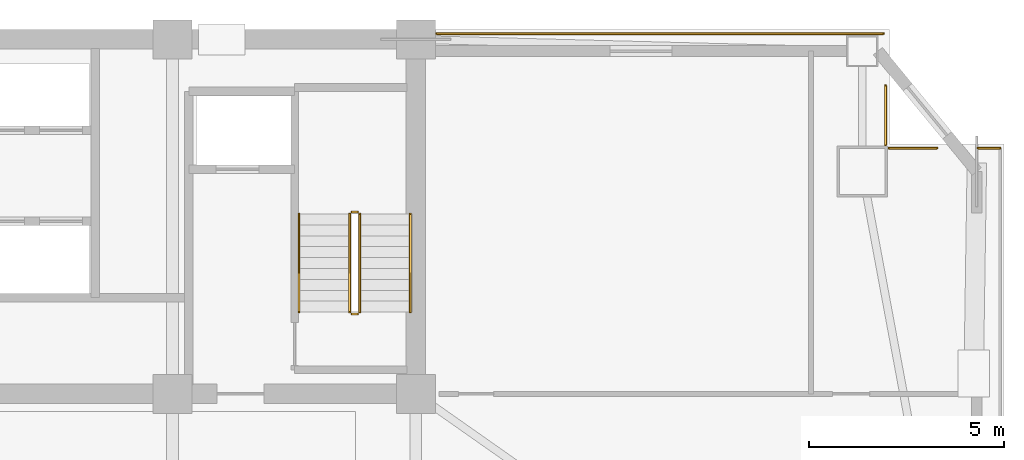
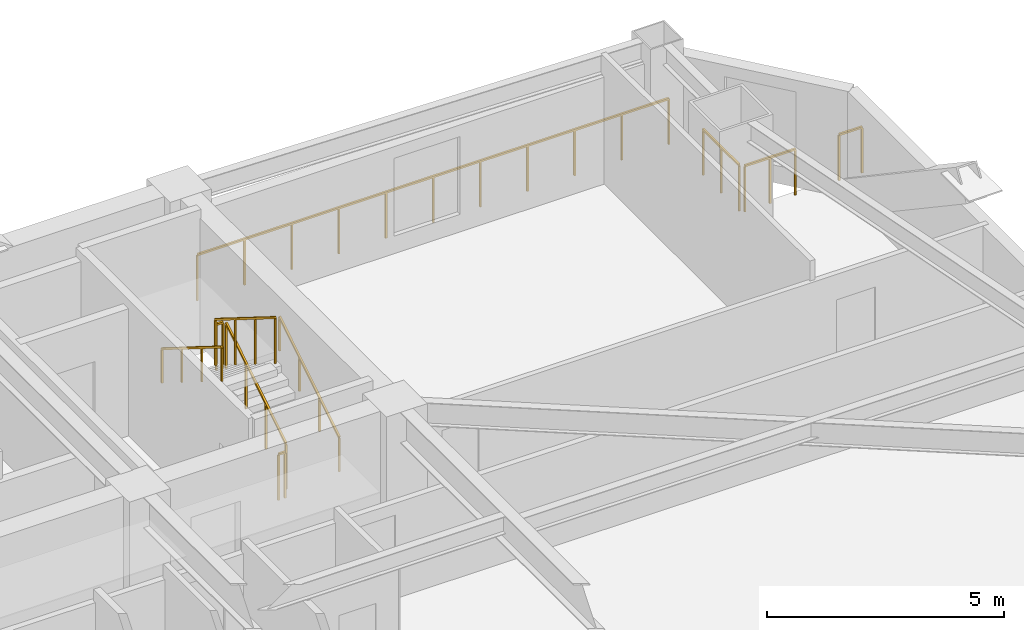
# One storey, part 15 of 15: 10 railings.
"""IFC4 building model written with IfcOpenShell, lengths in metres."""

from ifc_helpers import new_model, si_unit, direction, frame, origin, origin_2d, place, context, subcontext, project, spatial, rectangle, extrude, material, type_object, element, save


model = new_model("IFC4")

# Units and contexts
model_context = context("Model", 3, precision=1e-05, world=origin(), true_north=direction((0.0, 1.0)))
body_context = subcontext(model_context, "Body", "Model", "MODEL_VIEW")
ifc_project = project(units=[si_unit("LENGTHUNIT", "METRE"), si_unit("AREAUNIT", "SQUARE_METRE"), si_unit("VOLUMEUNIT", "CUBIC_METRE"), si_unit("PLANEANGLEUNIT", "RADIAN"), si_unit("MASSUNIT", "GRAM", prefix="KILO")], contexts=[model_context])

# Site, building, storey
site_placement = place(None, origin())
site = spatial("IfcSite", under=ifc_project, at=site_placement, CompositionType="ELEMENT")
building_placement = place(site_placement, origin())
building = spatial("IfcBuilding", under=site, at=building_placement, Name="Giltprow Tower", CompositionType="ELEMENT")
storey_placement = place(building_placement, frame((0.0, 0.0, 149.199951171875)))
storey = spatial("IfcBuildingStorey", under=building, at=storey_placement, Name="L36", CompositionType="ELEMENT", Elevation=149.199951171875)

# Railings
ifc_material = material(Name="Anodized bronze", Category="metal")
railing_type_1 = type_object("IfcRailingType", Name="RAIL-BALC-GUARD-1200", PredefinedType="BALUSTRADE", material=ifc_material)
railing_1_placement = place(storey_placement, frame((51.0849609375, 46.699951171875, 0.0)))
element("IfcRailing", 1, at=railing_1_placement, inside=storey, type_object=railing_type_1, Name="L36 Corner Apron Edge Balustrade 10", PredefinedType="BALUSTRADE", context=body_context, shape_type="SweptSolid", body=[
    extrude(rectangle(XDim=0.048095703125, YDim=0.048095703125, at=origin_2d()), frame((0.0, 0.0, 1.17578125), z_axis=(1.0, 0.0, 0.0), x_axis=(0.0, 1.0, 0.0)), (0.0, 0.0, 1.0), 11.465087890625),
    extrude(rectangle(XDim=0.0419921875, YDim=0.0419921875, at=origin_2d()), origin(), (0.0, 0.0, 1.0), 1.15185546875),
    extrude(rectangle(XDim=0.0419921875, YDim=0.0419921875, at=origin_2d()), frame((1.146484375, 0.0, 0.0)), (0.0, 0.0, 1.0), 1.15185546875),
    extrude(rectangle(XDim=0.0419921875, YDim=0.0419921875, at=origin_2d()), frame((2.29296875, 0.0, 0.0)), (0.0, 0.0, 1.0), 1.15185546875),
    extrude(rectangle(XDim=0.0419921875, YDim=0.0419921875, at=origin_2d()), frame((3.439453125, 0.0, 0.0)), (0.0, 0.0, 1.0), 1.15185546875),
    extrude(rectangle(XDim=0.0419921875, YDim=0.0419921875, at=origin_2d()), frame((4.5859375, 0.0, 0.0)), (0.0, 0.0, 1.0), 1.15185546875),
    extrude(rectangle(XDim=0.0419921875, YDim=0.0419921875, at=origin_2d()), frame((5.732421875, 0.0, 0.0)), (0.0, 0.0, 1.0), 1.15185546875),
    extrude(rectangle(XDim=0.0419921875, YDim=0.0419921875, at=origin_2d()), frame((6.879150390625, 0.0, 0.0)), (0.0, 0.0, 1.0), 1.15185546875),
    extrude(rectangle(XDim=0.0419921875, YDim=0.0419921875, at=origin_2d()), frame((8.025634765625, 0.0, 0.0)), (0.0, 0.0, 1.0), 1.15185546875),
    extrude(rectangle(XDim=0.0419921875, YDim=0.0419921875, at=origin_2d()), frame((9.172119140625, 0.0, 0.0)), (0.0, 0.0, 1.0), 1.15185546875),
    extrude(rectangle(XDim=0.0419921875, YDim=0.0419921875, at=origin_2d()), frame((10.318603515625, 0.0, 0.0)), (0.0, 0.0, 1.0), 1.15185546875),
    extrude(rectangle(XDim=0.0419921875, YDim=0.0419921875, at=origin_2d()), frame((11.465087890625, 0.0, 0.0)), (0.0, 0.0, 1.0), 1.15185546875),
])
railing_2_placement = place(storey_placement, frame((62.612060546875, 45.361083984375, 0.0)))
element("IfcRailing", 2, at=railing_2_placement, inside=storey, type_object=railing_type_1, Name="L36 Corner Apron Edge Balustrade 11", PredefinedType="BALUSTRADE", context=body_context, shape_type="SweptSolid", body=[
    extrude(rectangle(XDim=0.048095703125, YDim=0.048095703125, at=origin_2d()), frame((0.0, 0.0, 1.17578125), z_axis=(0.0, -1.0, 0.0), x_axis=(1.0, 0.0, 0.0)), (0.0, 0.0, 1.0), 1.51513671875),
    extrude(rectangle(XDim=0.0419921875, YDim=0.0419921875, at=origin_2d()), origin(), (0.0, 0.0, 1.0), 1.15185546875),
    extrude(rectangle(XDim=0.0419921875, YDim=0.0419921875, at=origin_2d()), frame((0.0, -0.757568359375, 0.0)), (0.0, 0.0, 1.0), 1.15185546875),
    extrude(rectangle(XDim=0.0419921875, YDim=0.0419921875, at=origin_2d()), frame((0.0, -1.51513671875, 0.0)), (0.0, 0.0, 1.0), 1.15185546875),
])
railing_3_placement = place(storey_placement, frame((62.697021484375, 43.760986328125, 0.0)))
element("IfcRailing", 3, at=railing_3_placement, inside=storey, type_object=railing_type_1, Name="L36 Corner Apron Edge Balustrade 12", PredefinedType="BALUSTRADE", context=body_context, shape_type="SweptSolid", body=[
    extrude(rectangle(XDim=0.048095703125, YDim=0.048095703125, at=origin_2d()), frame((0.0, 0.0, 1.17578125), z_axis=(1.0, 0.0, 0.0), x_axis=(0.0, 1.0, 0.0)), (0.0, 0.0, 1.0), 1.22998046875),
    extrude(rectangle(XDim=0.0419921875, YDim=0.0419921875, at=origin_2d()), origin(), (0.0, 0.0, 1.0), 1.15185546875),
    extrude(rectangle(XDim=0.0419921875, YDim=0.0419921875, at=origin_2d()), frame((0.614990234375, 0.0, 0.0)), (0.0, 0.0, 1.0), 1.15185546875),
    extrude(rectangle(XDim=0.0419921875, YDim=0.0419921875, at=origin_2d()), frame((1.22998046875, 0.0, 0.0)), (0.0, 0.0, 1.0), 1.15185546875),
])
railing_4_placement = place(storey_placement, frame((64.989013671875, 43.760986328125, 0.0)))
element("IfcRailing", 4, at=railing_4_placement, inside=storey, type_object=railing_type_1, Name="L36 Corner Apron Edge Balustrade 13", PredefinedType="BALUSTRADE", context=body_context, shape_type="SweptSolid", body=[
    extrude(rectangle(XDim=0.048095703125, YDim=0.048095703125, at=origin_2d()), frame((0.0, 0.0, 1.17578125), z_axis=(1.0, 0.0, 0.0), x_axis=(0.0, 1.0, 0.0)), (0.0, 0.0, 1.0), 0.56201171875),
    extrude(rectangle(XDim=0.0419921875, YDim=0.0419921875, at=origin_2d()), origin(), (0.0, 0.0, 1.0), 1.15185546875),
    extrude(rectangle(XDim=0.0419921875, YDim=0.0419921875, at=origin_2d()), frame((0.56201171875, 0.0, 0.0)), (0.0, 0.0, 1.0), 1.15185546875),
])
railing_type_2 = type_object("IfcRailingType", Name="RAIL-STAIR-GUARD-1200", PredefinedType="GUARDRAIL", material=ifc_material)
railing_5_placement = place(storey_placement, frame((49.110107421875, 39.550048828125, 0.175048828125)))
element("IfcRailing", 5, at=railing_5_placement, inside=storey, type_object=railing_type_2, Name="L36 ST-3 stair guard 1", PredefinedType="GUARDRAIL", context=body_context, shape_type="SweptSolid", body=[
    extrude(rectangle(XDim=0.048095703125, YDim=0.048095703125, at=origin_2d()), frame((0.0, 0.0, 1.17578125), z_axis=(0.0, 0.848007534815, 0.529984170421), x_axis=(-1.0, 0.0, 0.0)), (0.0, 0.0, 1.0), 2.9716796875),
    extrude(rectangle(XDim=0.0419921875, YDim=0.0419921875, at=origin_2d()), origin(), (0.0, 0.0, 1.0), 1.15185546875),
    extrude(rectangle(XDim=0.0419921875, YDim=0.0419921875, at=origin_2d()), frame((0.0, 0.840087890625, 0.52490234375)), (0.0, 0.0, 1.0), 1.15185546875),
    extrude(rectangle(XDim=0.0419921875, YDim=0.0419921875, at=origin_2d()), frame((0.0, 1.679931640625, 1.050048828125)), (0.0, 0.0, 1.0), 1.15185546875),
    extrude(rectangle(XDim=0.0419921875, YDim=0.0419921875, at=origin_2d()), frame((0.0, 2.52001953125, 1.574951171875)), (0.0, 0.0, 1.0), 1.15185546875),
])
railing_6_placement = place(storey_placement, frame((49.06005859375, 42.1201171875, 1.75)))
element("IfcRailing", 6, at=railing_6_placement, inside=storey, type_object=railing_type_2, Name="L36 ST-3 stair guard 2", PredefinedType="GUARDRAIL", context=body_context, shape_type="SweptSolid", body=[
    extrude(rectangle(XDim=0.048095703125, YDim=0.048095703125, at=origin_2d()), frame((0.0, 0.0, 1.17578125), z_axis=(-1.0, 0.0, 0.0), x_axis=(0.0, -1.0, 0.0)), (0.0, 0.0, 1.0), 0.16015625),
    extrude(rectangle(XDim=0.0419921875, YDim=0.0419921875, at=origin_2d()), origin(), (0.0, 0.0, 1.0), 1.15185546875),
    extrude(rectangle(XDim=0.0419921875, YDim=0.0419921875, at=origin_2d()), frame((-0.16015625, 0.0, 0.0)), (0.0, 0.0, 1.0), 1.15185546875),
])
railing_7_placement = place(storey_placement, frame((48.85009765625, 42.070068359375, 1.925048828125)))
element("IfcRailing", 7, at=railing_7_placement, inside=storey, type_object=railing_type_2, Name="L36 ST-3 stair guard 3", PredefinedType="GUARDRAIL", context=body_context, shape_type="SweptSolid", body=[
    extrude(rectangle(XDim=0.048095703125, YDim=0.048095703125, at=origin_2d()), frame((0.0, 0.0, 1.17578125), z_axis=(0.0, -0.848007534815, 0.529984170421), x_axis=(1.0, 0.0, 0.0)), (0.0, 0.0, 1.0), 2.9716796875),
    extrude(rectangle(XDim=0.0419921875, YDim=0.0419921875, at=origin_2d()), origin(), (0.0, 0.0, 1.0), 1.15185546875),
    extrude(rectangle(XDim=0.0419921875, YDim=0.0419921875, at=origin_2d()), frame((0.0, -0.840087890625, 0.52490234375)), (0.0, 0.0, 1.0), 1.15185546875),
    extrude(rectangle(XDim=0.0419921875, YDim=0.0419921875, at=origin_2d()), frame((0.0, -1.679931640625, 1.050048828125)), (0.0, 0.0, 1.0), 1.15185546875),
    extrude(rectangle(XDim=0.0419921875, YDim=0.0419921875, at=origin_2d()), frame((0.0, -2.52001953125, 1.574951171875)), (0.0, 0.0, 1.0), 1.15185546875),
])
railing_8_placement = place(storey_placement, frame((49.06005859375, 39.5, 0.0)))
element("IfcRailing", 8, at=railing_8_placement, inside=storey, type_object=railing_type_2, Name="L36 ST-3 stair guard 4", PredefinedType="GUARDRAIL", context=body_context, shape_type="SweptSolid", body=[
    extrude(rectangle(XDim=0.048095703125, YDim=0.048095703125, at=origin_2d()), frame((0.0, 0.0, 1.17578125), z_axis=(-1.0, 0.0, 0.0), x_axis=(0.0, -1.0, 0.0)), (0.0, 0.0, 1.0), 0.16015625),
    extrude(rectangle(XDim=0.0419921875, YDim=0.0419921875, at=origin_2d()), origin(), (0.0, 0.0, 1.0), 1.15185546875),
    extrude(rectangle(XDim=0.0419921875, YDim=0.0419921875, at=origin_2d()), frame((-0.16015625, 0.0, 0.0)), (0.0, 0.0, 1.0), 1.15185546875),
])
railing_type_3 = type_object("IfcRailingType", Name="RAIL-STAIR-HAND-900", PredefinedType="HANDRAIL", material=ifc_material)
railing_9_placement = place(storey_placement, frame((50.409912109375, 39.550048828125, 0.175048828125)))
element("IfcRailing", 9, at=railing_9_placement, inside=storey, type_object=railing_type_3, Name="L36 ST-3 stair handrail 1", PredefinedType="HANDRAIL", context=body_context, shape_type="SweptSolid", body=[
    extrude(rectangle(XDim=0.048095703125, YDim=0.048095703125, at=origin_2d()), frame((0.0, 0.0, 0.8759765625), z_axis=(0.0, 0.848007534815, 0.529984170421), x_axis=(-1.0, 0.0, 0.0)), (0.0, 0.0, 1.0), 2.9716796875),
    extrude(rectangle(XDim=0.0419921875, YDim=0.0419921875, at=origin_2d()), origin(), (0.0, 0.0, 1.0), 0.851806640625),
    extrude(rectangle(XDim=0.0419921875, YDim=0.0419921875, at=origin_2d()), frame((0.0, 0.840087890625, 0.52490234375)), (0.0, 0.0, 1.0), 0.851806640625),
    extrude(rectangle(XDim=0.0419921875, YDim=0.0419921875, at=origin_2d()), frame((0.0, 1.679931640625, 1.050048828125)), (0.0, 0.0, 1.0), 0.851806640625),
    extrude(rectangle(XDim=0.0419921875, YDim=0.0419921875, at=origin_2d()), frame((0.0, 2.52001953125, 1.574951171875)), (0.0, 0.0, 1.0), 0.851806640625),
])
railing_10_placement = place(storey_placement, frame((47.550048828125, 42.070068359375, 1.925048828125)))
element("IfcRailing", 10, at=railing_10_placement, inside=storey, type_object=railing_type_3, Name="L36 ST-3 stair handrail 2", PredefinedType="HANDRAIL", context=body_context, shape_type="SweptSolid", body=[
    extrude(rectangle(XDim=0.048095703125, YDim=0.048095703125, at=origin_2d()), frame((0.0, 0.0, 0.8759765625), z_axis=(0.0, -0.848007534815, 0.529984170421), x_axis=(1.0, 0.0, 0.0)), (0.0, 0.0, 1.0), 2.9716796875),
    extrude(rectangle(XDim=0.0419921875, YDim=0.0419921875, at=origin_2d()), origin(), (0.0, 0.0, 1.0), 0.851806640625),
    extrude(rectangle(XDim=0.0419921875, YDim=0.0419921875, at=origin_2d()), frame((0.0, -0.840087890625, 0.52490234375)), (0.0, 0.0, 1.0), 0.851806640625),
    extrude(rectangle(XDim=0.0419921875, YDim=0.0419921875, at=origin_2d()), frame((0.0, -1.679931640625, 1.050048828125)), (0.0, 0.0, 1.0), 0.851806640625),
    extrude(rectangle(XDim=0.0419921875, YDim=0.0419921875, at=origin_2d()), frame((0.0, -2.52001953125, 1.574951171875)), (0.0, 0.0, 1.0), 0.851806640625),
])

save(model, "model.ifc")
